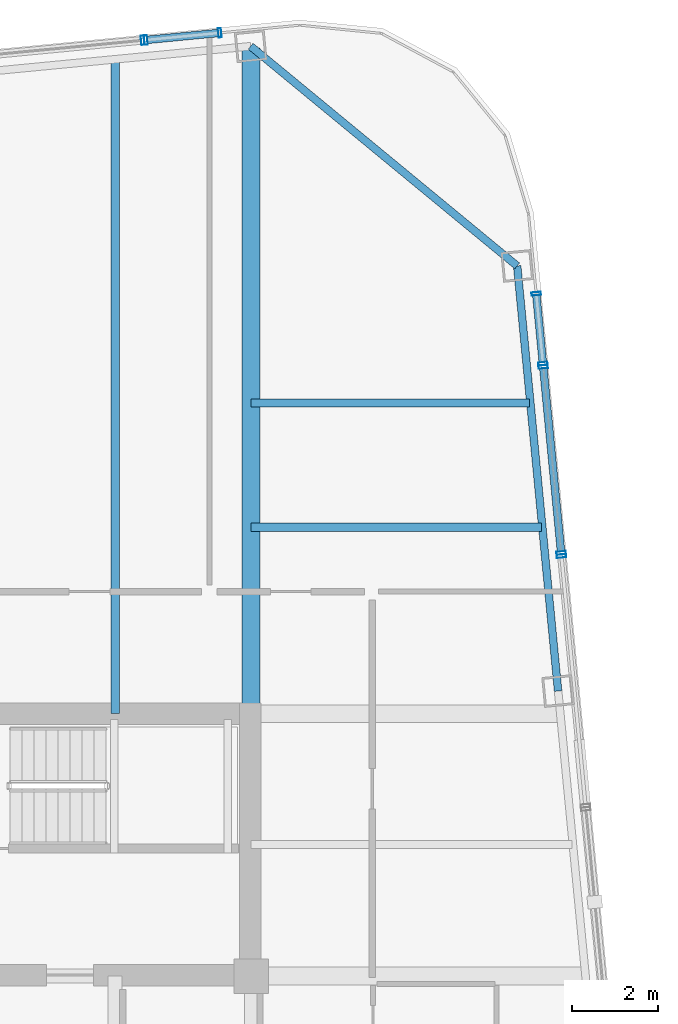
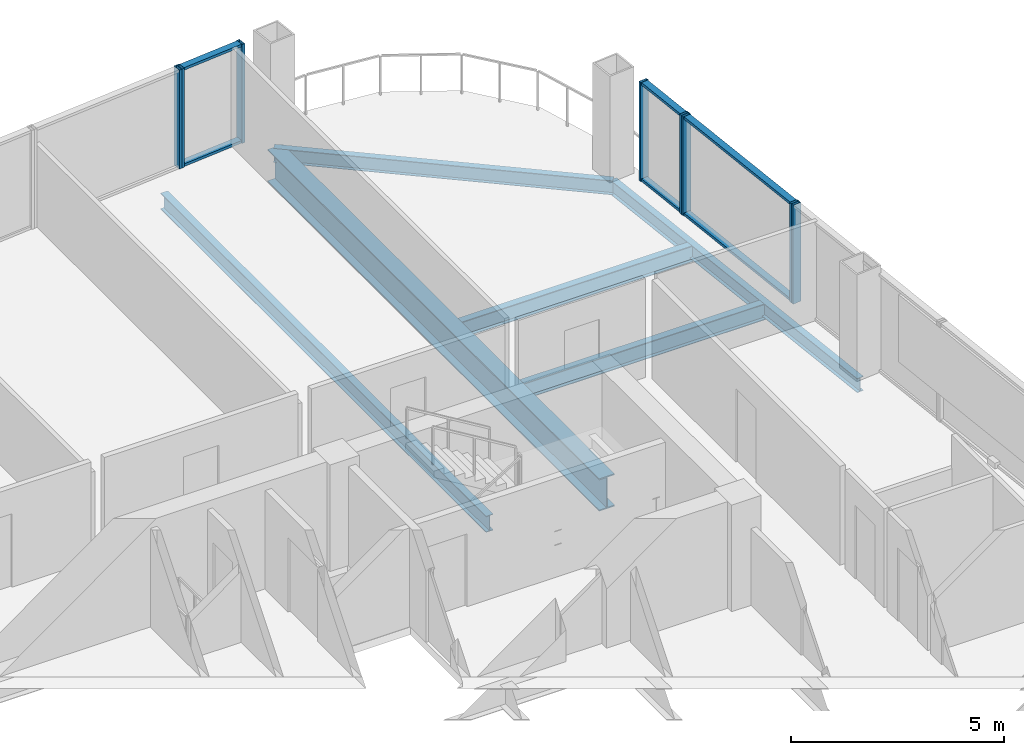
# One storey, part 15 of 22: 14 members, 6 beams, 5 elements without a shape of their own.
"""IFC4 building model written with IfcOpenShell, lengths in metres."""

from ifc_helpers import new_model, si_unit, direction, frame, origin, origin_2d, place, context, subcontext, project, spatial, hollow_rectangle, i_section, extrude, material, layer, layer_set, material_profile, profile_set, type_object, element, aggregate, save


model = new_model("IFC4")

# Units and contexts
model_context = context("Model", 3, precision=1e-05, world=origin(), true_north=direction((0.0, 1.0)))
body_context = subcontext(model_context, "Body", "Model", "MODEL_VIEW")
ifc_project = project(units=[si_unit("LENGTHUNIT", "METRE"), si_unit("AREAUNIT", "SQUARE_METRE"), si_unit("VOLUMEUNIT", "CUBIC_METRE"), si_unit("PLANEANGLEUNIT", "RADIAN"), si_unit("MASSUNIT", "GRAM", prefix="KILO")], contexts=[model_context])

# Site, building, storey
site_placement = place(None, origin())
site = spatial("IfcSite", under=ifc_project, at=site_placement, CompositionType="ELEMENT")
building_placement = place(site_placement, origin())
building = spatial("IfcBuilding", under=site, at=building_placement, Name="Qhalaya Broadcast Tower", CompositionType="ELEMENT")
storey_placement = place(building_placement, frame((0.0, 0.0, 171.39990234375)))
storey = spatial("IfcBuildingStorey", under=building, at=storey_placement, Name="L50", CompositionType="ELEMENT", Elevation=171.39990234375)

# Beams
ifc_material_1 = material(Name="Structural Steel ASTM A992 Grade 50", Category="steel")
ifc_material_profile_1 = material_profile(ifc_material_1, i_section(OverallWidth=0.19189453125, OverallDepth=0.462890625, WebThickness=0.010498046875, FlangeThickness=0.017578125, at=origin_2d()), Name="W18X60")
ifc_profile_set_1 = profile_set([ifc_material_profile_1], Name="Structural Steel ASTM A992 Grade 50")
beam_type_1 = type_object("IfcBeamType", Name="Composite Floor Joist J03", PredefinedType="JOIST", material=ifc_profile_set_1)
beam_1_placement = place(storey_placement, frame((6.199951171875, 9.949951171875, -0.451416015625), z_axis=(0.0, 1.0, 0.0), x_axis=(-1.0, 0.0, 0.0)))
element("IfcBeam", 1, at=beam_1_placement, inside=storey, type_object=beam_type_1, Name="L50 J03 L50-JNN5-1", PredefinedType="JOIST", context=body_context, shape_type="SweptSolid", body=[
    extrude(i_section(OverallWidth=0.19189453125, OverallDepth=0.462890625, WebThickness=0.010498046875, FlangeThickness=0.017578125, at=origin_2d()), origin(), (0.0, 0.0, 1.0), 15.25341796875),
])
beam_2_placement = place(storey_placement, frame((9.375, 14.300048828125, -0.451416015625), z_axis=(1.0, 0.0, 0.0), x_axis=(0.0, 1.0, 0.0)))
element("IfcBeam", 2, at=beam_2_placement, inside=storey, type_object=beam_type_1, Name="L50 J03 L50-JWE6E-1", PredefinedType="JOIST", context=body_context, shape_type="SweptSolid", body=[
    extrude(i_section(OverallWidth=0.19189453125, OverallDepth=0.462890625, WebThickness=0.010498046875, FlangeThickness=0.017578125, at=origin_2d()), origin(), (0.0, 0.0, 1.0), 6.7744140625),
])
beam_3_placement = place(storey_placement, frame((9.375, 17.199951171875, -0.451416015625), z_axis=(1.0, 0.0, 0.0), x_axis=(0.0, 1.0, 0.0)))
element("IfcBeam", 3, at=beam_3_placement, inside=storey, type_object=beam_type_1, Name="L50 J03 L50-JWE7E-1", PredefinedType="JOIST", context=body_context, shape_type="SweptSolid", body=[
    extrude(i_section(OverallWidth=0.19189453125, OverallDepth=0.462890625, WebThickness=0.010498046875, FlangeThickness=0.017578125, at=origin_2d()), origin(), (0.0, 0.0, 1.0), 6.4951171875),
])
ifc_material_profile_2 = material_profile(ifc_material_1, i_section(OverallWidth=0.4189453125, OverallDepth=0.927001953125, WebThickness=0.019287109375, FlangeThickness=0.031982421875, at=origin_2d()), Name="W36X231")
ifc_profile_set_2 = profile_set([ifc_material_profile_2], Name="Structural Steel ASTM A992 Grade 50")
beam_type_2 = type_object("IfcBeamType", Name="Mid Block Primary Girder PG3", PredefinedType="USERDEFINED", material=ifc_profile_set_2)
beam_4_placement = place(storey_placement, frame((9.375, 9.949951171875, -0.683349609375), z_axis=(0.0, 1.0, 0.0), x_axis=(-1.0, 0.0, 0.0)))
element("IfcBeam", 4, at=beam_4_placement, inside=storey, type_object=beam_type_2, Name="L50 PG3 L50-PGXN2-1", ObjectType="GIRDER", PredefinedType="USERDEFINED", context=body_context, shape_type="SweptSolid", body=[
    extrude(i_section(OverallWidth=0.4189453125, OverallDepth=0.927001953125, WebThickness=0.019287109375, FlangeThickness=0.031982421875, at=origin_2d()), origin(), (0.0, 0.0, 1.0), 15.541259765625),
])

# Curtain wall, member
ifc_material_2 = material(Name="Fired Architectural Terracotta", Category="masonry")
ifc_layer_1 = layer(ifc_material_2, 0.219970703125, Name="Fired Architectural Terracotta")
ifc_layer_set_1 = layer_set([ifc_layer_1], Name="Fired Architectural Terracotta")
curtain_wall_type_1 = type_object("IfcCurtainWallType", Name="Block-Cap Unitised Terracotta Spandrel Wall CW-07", PredefinedType="NOTDEFINED", material=ifc_layer_set_1)
curtain_wall_1_placement = place(storey_placement, origin())
curtain_wall_1 = element("IfcCurtainWall", 5, at=curtain_wall_1_placement, inside=storey, type_object=curtain_wall_type_1, Name="L50 Unitised Curtain Wall L50-CW-E5", PredefinedType="NOTDEFINED")
ifc_material_3 = material(Name="Anodised Aluminium 6063-T6", Category="aluminium")
ifc_material_profile_3 = material_profile(ifc_material_3, hollow_rectangle(XDim=0.074951171875, YDim=0.219970703125, WallThickness=0.00390625, at=origin_2d()), Name="ALU-MUL 75x220x4")
ifc_profile_set_3 = profile_set([ifc_material_profile_3], Name="Anodised Aluminium 6063-T6")
member_type_1 = type_object("IfcMemberType", Name="Unitised Curtain-Wall Mullion M01", PredefinedType="MULLION", material=ifc_profile_set_3)
member_1_placement = place(storey_placement, frame((16.61572265625, 13.62890625, 0.0), z_axis=(0.0, 0.0, 1.0), x_axis=(-0.095849311193, 0.9953958557, 0.0)))
member_1 = element("IfcMember", 6, at=member_1_placement, type_object=member_type_1, Name="CW-07 mullion 2", PredefinedType="MULLION", context=body_context, shape_type="SweptSolid", body=[
    extrude(hollow_rectangle(XDim=0.074951171875, YDim=0.219970703125, WallThickness=0.00390625, at=origin_2d()), origin(), (0.0, 0.0, 1.0), 2.830078125),
])
aggregate(curtain_wall_1, [member_1])

# Curtain wall, members
ifc_material_4 = material(Name="Solar-Control Low-E Triple Glazing", Category="glass")
ifc_layer_2 = layer(ifc_material_4, 0.219970703125, Name="Solar-Control Low-E Triple Glazing")
ifc_layer_set_2 = layer_set([ifc_layer_2], Name="Solar-Control Low-E Triple Glazing")
curtain_wall_type_2 = type_object("IfcCurtainWallType", Name="Even-Block 4-Storey Double-Module Curtain Wall CW-03", PredefinedType="NOTDEFINED", material=ifc_layer_set_2)
curtain_wall_2_placement = place(storey_placement, origin())
curtain_wall_2 = element("IfcCurtainWall", 7, at=curtain_wall_2_placement, inside=storey, type_object=curtain_wall_type_2, Name="L50 Unitised Curtain Wall L50-CW-E6", PredefinedType="NOTDEFINED")
member_2_placement = place(storey_placement, frame((16.608642578125, 13.70361328125, 0.0), z_axis=(0.0, 0.0, 1.0), x_axis=(-0.095832224028, 0.99539750092, 0.0)))
member_2 = element("IfcMember", 8, at=member_2_placement, type_object=member_type_1, Name="CW-03 mullion 1", PredefinedType="MULLION", context=body_context, shape_type="SweptSolid", body=[
    extrude(hollow_rectangle(XDim=0.074951171875, YDim=0.219970703125, WallThickness=0.00390625, at=origin_2d()), origin(), (0.0, 0.0, 1.0), 2.830078125),
])
member_3_placement = place(storey_placement, frame((16.190673828125, 18.04541015625, 0.0), z_axis=(0.0, 0.0, 1.0), x_axis=(-0.095832224028, 0.99539750092, 0.0)))
member_3 = element("IfcMember", 9, at=member_3_placement, type_object=member_type_1, Name="CW-03 mullion 2", PredefinedType="MULLION", context=body_context, shape_type="SweptSolid", body=[
    extrude(hollow_rectangle(XDim=0.074951171875, YDim=0.219970703125, WallThickness=0.00390625, at=origin_2d()), origin(), (0.0, 0.0, 1.0), 2.830078125),
])

curtain_wall_3_placement = place(storey_placement, origin())
curtain_wall_3 = element("IfcCurtainWall", 10, at=curtain_wall_3_placement, inside=storey, type_object=curtain_wall_type_1, Name="L50 Unitised Curtain Wall L50-CW-E7", PredefinedType="NOTDEFINED")
member_4_placement = place(storey_placement, frame((16.183349609375, 18.1201171875, 0.0), z_axis=(0.0, 0.0, 1.0), x_axis=(-0.095860176134, 0.995394809426, 0.0)))
member_4 = element("IfcMember", 11, at=member_4_placement, type_object=member_type_1, Name="CW-07 mullion 1", PredefinedType="MULLION", context=body_context, shape_type="SweptSolid", body=[
    extrude(hollow_rectangle(XDim=0.074951171875, YDim=0.219970703125, WallThickness=0.00390625, at=origin_2d()), origin(), (0.0, 0.0, 1.0), 2.830078125),
])
member_5_placement = place(storey_placement, frame((16.026123046875, 19.75244140625, 0.0), z_axis=(0.0, 0.0, 1.0), x_axis=(-0.095860176134, 0.995394809426, 0.0)))
member_5 = element("IfcMember", 12, at=member_5_placement, type_object=member_type_1, Name="CW-07 mullion 2", PredefinedType="MULLION", context=body_context, shape_type="SweptSolid", body=[
    extrude(hollow_rectangle(XDim=0.074951171875, YDim=0.219970703125, WallThickness=0.00390625, at=origin_2d()), origin(), (0.0, 0.0, 1.0), 2.830078125),
])

curtain_wall_4_placement = place(storey_placement, origin())
curtain_wall_4 = element("IfcCurtainWall", 13, at=curtain_wall_4_placement, inside=storey, type_object=curtain_wall_type_1, Name="L50 Unitised Curtain Wall L50-CW-N1", PredefinedType="NOTDEFINED")
member_6_placement = place(storey_placement, frame((8.64111328125, 25.840087890625, 0.0), z_axis=(0.0, 0.0, 1.0), x_axis=(-0.995395744559, -0.095850465381, 0.0)))
member_6 = element("IfcMember", 14, at=member_6_placement, type_object=member_type_1, Name="CW-07 mullion 1", PredefinedType="MULLION", context=body_context, shape_type="SweptSolid", body=[
    extrude(hollow_rectangle(XDim=0.074951171875, YDim=0.219970703125, WallThickness=0.00390625, at=origin_2d()), origin(), (0.0, 0.0, 1.0), 2.830078125),
])
member_7_placement = place(storey_placement, frame((6.916015625, 25.674072265625, 0.0), z_axis=(0.0, 0.0, 1.0), x_axis=(-0.995395744559, -0.095850465381, 0.0)))
member_7 = element("IfcMember", 15, at=member_7_placement, type_object=member_type_1, Name="CW-07 mullion 2", PredefinedType="MULLION", context=body_context, shape_type="SweptSolid", body=[
    extrude(hollow_rectangle(XDim=0.074951171875, YDim=0.219970703125, WallThickness=0.00390625, at=origin_2d()), origin(), (0.0, 0.0, 1.0), 2.830078125),
])

# Curtain wall, member
curtain_wall_5_placement = place(storey_placement, origin())
curtain_wall_5 = element("IfcCurtainWall", 16, at=curtain_wall_5_placement, inside=storey, type_object=curtain_wall_type_2, Name="L50 Unitised Curtain Wall L50-CW-N2", PredefinedType="NOTDEFINED")
member_8_placement = place(storey_placement, frame((6.841552734375, 25.6669921875, 0.0), z_axis=(0.0, 0.0, 1.0), x_axis=(-0.995397122956, -0.095836149814, 0.0)))
member_8 = element("IfcMember", 17, at=member_8_placement, type_object=member_type_1, Name="CW-03 mullion 1", PredefinedType="MULLION", context=body_context, shape_type="SweptSolid", body=[
    extrude(hollow_rectangle(XDim=0.074951171875, YDim=0.219970703125, WallThickness=0.00390625, at=origin_2d()), origin(), (0.0, 0.0, 1.0), 2.830078125),
])
aggregate(curtain_wall_5, [member_8])

# Member
ifc_material_profile_4 = material_profile(ifc_material_3, hollow_rectangle(XDim=0.074951171875, YDim=0.179931640625, WallThickness=0.00390625, at=origin_2d()), Name="ALU-TRN 75x180x4")
ifc_profile_set_4 = profile_set([ifc_material_profile_4], Name="Anodised Aluminium 6063-T6")
member_type_2 = type_object("IfcMemberType", Name="Unitised Curtain-Wall Transom T01", PredefinedType="USERDEFINED", material=ifc_profile_set_4)
member_9_placement = place(storey_placement, frame((16.60498046875, 13.740966796875, 0.03759765625), z_axis=(-0.095849139091, 0.995395872272, 0.0), x_axis=(0.0, 0.0, 1.0)))
member_9 = element("IfcMember", 18, at=member_9_placement, type_object=member_type_2, Name="CW-03 transom 1.1", ObjectType="TRANSOM", PredefinedType="USERDEFINED", context=body_context, shape_type="SweptSolid", body=[
    extrude(hollow_rectangle(XDim=0.074951171875, YDim=0.179931640625, WallThickness=0.00390625, at=origin_2d()), origin(), (0.0, 0.0, 1.0), 4.286865234375),
])

member_10_placement = place(storey_placement, frame((16.60498046875, 13.740966796875, 2.79248046875), z_axis=(-0.095849139091, 0.995395872272, 0.0), x_axis=(0.0, 0.0, 1.0)))
member_10 = element("IfcMember", 19, at=member_10_placement, type_object=member_type_2, Name="CW-03 transom 1.2", ObjectType="TRANSOM", PredefinedType="USERDEFINED", context=body_context, shape_type="SweptSolid", body=[
    extrude(hollow_rectangle(XDim=0.074951171875, YDim=0.179931640625, WallThickness=0.00390625, at=origin_2d()), origin(), (0.0, 0.0, 1.0), 4.286865234375),
])

aggregate(curtain_wall_2, [member_2, member_3, member_9, member_10])

member_11_placement = place(storey_placement, frame((16.179931640625, 18.157470703125, 0.03759765625), z_axis=(-0.095950230663, 0.995386132732, 0.0), x_axis=(0.0, 0.0, 1.0)))
member_11 = element("IfcMember", 20, at=member_11_placement, type_object=member_type_2, Name="CW-07 transom 1.1", ObjectType="TRANSOM", PredefinedType="USERDEFINED", context=body_context, shape_type="SweptSolid", body=[
    extrude(hollow_rectangle(XDim=0.074951171875, YDim=0.179931640625, WallThickness=0.00390625, at=origin_2d()), origin(), (0.0, 0.0, 1.0), 1.56494140625),
])

member_12_placement = place(storey_placement, frame((16.179931640625, 18.157470703125, 2.79248046875), z_axis=(-0.095950230663, 0.995386132732, 0.0), x_axis=(0.0, 0.0, 1.0)))
member_12 = element("IfcMember", 21, at=member_12_placement, type_object=member_type_2, Name="CW-07 transom 1.2", ObjectType="TRANSOM", PredefinedType="USERDEFINED", context=body_context, shape_type="SweptSolid", body=[
    extrude(hollow_rectangle(XDim=0.074951171875, YDim=0.179931640625, WallThickness=0.00390625, at=origin_2d()), origin(), (0.0, 0.0, 1.0), 1.56494140625),
])

aggregate(curtain_wall_3, [member_4, member_5, member_11, member_12])

member_13_placement = place(storey_placement, frame((8.603759765625, 25.836669921875, 0.03759765625), z_axis=(-0.995394989671, -0.095858304479, 0.0), x_axis=(0.0, 0.0, 1.0)))
member_13 = element("IfcMember", 22, at=member_13_placement, type_object=member_type_2, Name="CW-07 transom 1.1", ObjectType="TRANSOM", PredefinedType="USERDEFINED", context=body_context, shape_type="SweptSolid", body=[
    extrude(hollow_rectangle(XDim=0.074951171875, YDim=0.179931640625, WallThickness=0.00390625, at=origin_2d()), origin(), (0.0, 0.0, 1.0), 1.657958984375),
])

member_14_placement = place(storey_placement, frame((8.603759765625, 25.836669921875, 2.79248046875), z_axis=(-0.995394989671, -0.095858304479, 0.0), x_axis=(0.0, 0.0, 1.0)))
member_14 = element("IfcMember", 23, at=member_14_placement, type_object=member_type_2, Name="CW-07 transom 1.2", ObjectType="TRANSOM", PredefinedType="USERDEFINED", context=body_context, shape_type="SweptSolid", body=[
    extrude(hollow_rectangle(XDim=0.074951171875, YDim=0.179931640625, WallThickness=0.00390625, at=origin_2d()), origin(), (0.0, 0.0, 1.0), 1.657958984375),
])

aggregate(curtain_wall_4, [member_6, member_7, member_13, member_14])

# Beams
ifc_material_profile_5 = material_profile(ifc_material_1, i_section(OverallWidth=0.177978515625, OverallDepth=0.406005859375, WebThickness=0.0078125, FlangeThickness=0.0126953125, at=origin_2d()), Name="W16X40")
ifc_profile_set_5 = profile_set([ifc_material_profile_5], Name="Structural Steel ASTM A992 Grade 50")
beam_type_3 = type_object("IfcBeamType", Name="Upper Perimeter Spandrel Beam SP2", PredefinedType="SPANDREL", material=ifc_profile_set_5)
beam_5_placement = place(storey_placement, frame((16.537353515625, 10.4794921875, -0.4228515625), z_axis=(-0.095850563819, 0.99539573508, 0.0), x_axis=(-0.99539573508, -0.095850563819, 0.0)))
element("IfcBeam", 24, at=beam_5_placement, inside=storey, type_object=beam_type_3, Name="L50 SP2 L50-SPR-07", PredefinedType="SPANDREL", context=body_context, shape_type="SweptSolid", body=[
    extrude(i_section(OverallWidth=0.177978515625, OverallDepth=0.406005859375, WebThickness=0.0078125, FlangeThickness=0.0126953125, at=origin_2d()), origin(), (0.0, 0.0, 1.0), 9.966796875),
])
beam_6_placement = place(storey_placement, frame((15.58203125, 20.400390625, -0.4228515625), z_axis=(-0.771618906354, 0.636085107008, 0.0), x_axis=(-0.636085107008, -0.771618906354, 0.0)))
element("IfcBeam", 25, at=beam_6_placement, inside=storey, type_object=beam_type_3, Name="L50 SP2 L50-SPR-08", PredefinedType="SPANDREL", context=body_context, shape_type="SweptSolid", body=[
    extrude(i_section(OverallWidth=0.177978515625, OverallDepth=0.406005859375, WebThickness=0.0078125, FlangeThickness=0.0126953125, at=origin_2d()), origin(), (0.0, 0.0, 1.0), 8.06103515625),
])

save(model, "model.ifc")
